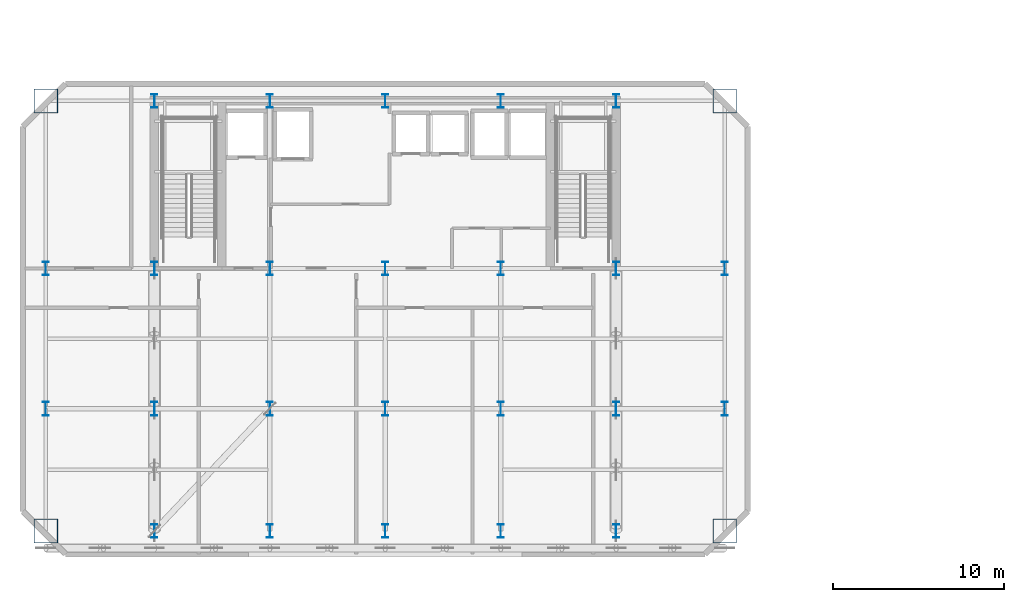
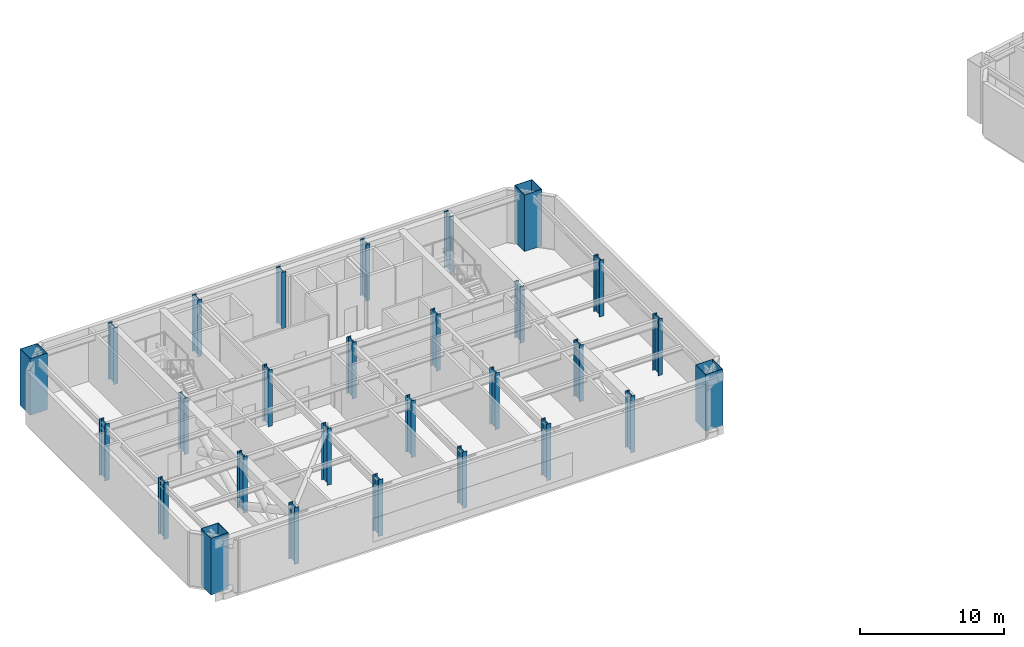
# One storey, part 1 of 15: 28 columns.
"""IFC4 building model written with IfcOpenShell, lengths in metres."""

from ifc_helpers import new_model, si_unit, direction, frame, origin, origin_2d, place, context, subcontext, project, spatial, hollow_rectangle, i_section, extrude, material, material_profile, profile_set, type_object, element, save


model = new_model("IFC4")

# Units and contexts
model_context = context("Model", 3, precision=1e-05, world=origin(), true_north=direction((0.0, 1.0)))
body_context = subcontext(model_context, "Body", "Model", "MODEL_VIEW")
ifc_project = project(units=[si_unit("LENGTHUNIT", "METRE"), si_unit("AREAUNIT", "SQUARE_METRE"), si_unit("VOLUMEUNIT", "CUBIC_METRE"), si_unit("PLANEANGLEUNIT", "RADIAN"), si_unit("MASSUNIT", "GRAM", prefix="KILO")], contexts=[model_context])

# Site, building, storey
site_placement = place(None, origin())
site = spatial("IfcSite", under=ifc_project, at=site_placement, CompositionType="ELEMENT")
building_placement = place(site_placement, origin())
building = spatial("IfcBuilding", under=site, at=building_placement, Name="Haevon Station Towers", CompositionType="ELEMENT")
storey_placement = place(building_placement, frame((0.0, 0.0, 138.0)))
storey = spatial("IfcBuildingStorey", under=building, at=storey_placement, Name="L37", CompositionType="ELEMENT", Elevation=138.0)

# Columns
ifc_material = material(Name="Steel S460", Category="steel")
ifc_material_profile_1 = material_profile(ifc_material, hollow_rectangle(XDim=1.39990234375, YDim=1.39990234375, WallThickness=0.035888671875, at=origin_2d()), Name="BOX-1400x1400x36")
ifc_profile_set_1 = profile_set([ifc_material_profile_1], Name="Steel S460")
column_type_1 = type_object("IfcColumnType", Name="COL-MC3", PredefinedType="COLUMN", material=ifc_profile_set_1)
for number, where, z_axis, x_axis, name in (
    (1, (17.64990234375, 22.85009765625, 0.0), (0.0, 0.0, 1.0), (1.0, 0.0, 0.0), "COL-T1-L37-01-01"),
    (2, (17.64990234375, 48.0, 0.0), (0.0, 0.0, 1.0), (1.0, 0.0, 0.0), "COL-T1-L37-01-04"),
    (3, (57.35009765625, 22.85009765625, 0.0), (0.0, 0.0, 1.0), (1.0, 0.0, 0.0), "COL-T1-L37-07-01"),
    (4, (57.35009765625, 48.0, 0.0), (0.0, 0.0, 1.0), (1.0, 0.0, 0.0), "COL-T1-L37-07-04"),
):
    element("IfcColumn", number, at=place(storey_placement, frame(where, z_axis=z_axis, x_axis=x_axis)), inside=storey, type_object=column_type_1, Name=name, PredefinedType="COLUMN", context=body_context, shape_type="SweptSolid", body=[
        extrude(hollow_rectangle(XDim=1.39990234375, YDim=1.39990234375, WallThickness=0.035888671875, at=origin_2d()), origin(), (0.0, 0.0, 1.0), 4.800048828125),
    ])
ifc_material_profile_2 = material_profile(ifc_material, i_section(OverallWidth=0.35009765625, OverallDepth=0.800048828125, WebThickness=0.01806640625, FlangeThickness=0.031982421875, at=origin_2d()), Name="H-800x350x18x32")
ifc_profile_set_2 = profile_set([ifc_material_profile_2], Name="Steel S460")
column_type_2 = type_object("IfcColumnType", Name="COL-TW2", PredefinedType="COLUMN", material=ifc_profile_set_2)
for number, where, z_axis, x_axis, name in (
    (5, (17.64990234375, 30.0, 0.0), (0.0, 0.0, 1.0), (1.0, 0.0, 0.0), "COL-T1-L37-01-02"),
    (6, (17.64990234375, 38.199951171875, 0.0), (0.0, 0.0, 1.0), (1.0, 0.0, 0.0), "COL-T1-L37-01-03"),
    (7, (24.0, 22.85009765625, 0.0), (0.0, 0.0, 1.0), (1.0, 0.0, 0.0), "COL-T1-L37-02-01"),
    (8, (24.0, 30.0, 0.0), (0.0, 0.0, 1.0), (1.0, 0.0, 0.0), "COL-T1-L37-02-02"),
    (9, (24.0, 38.199951171875, 0.0), (0.0, 0.0, 1.0), (1.0, 0.0, 0.0), "COL-T1-L37-02-03"),
    (10, (24.0, 48.0, 0.0), (0.0, 0.0, 1.0), (1.0, 0.0, 0.0), "COL-T1-L37-02-04"),
    (11, (30.75, 22.85009765625, 0.0), (0.0, 0.0, 1.0), (1.0, 0.0, 0.0), "COL-T1-L37-03-01"),
    (12, (30.75, 30.0, 0.0), (0.0, 0.0, 1.0), (1.0, 0.0, 0.0), "COL-T1-L37-03-02"),
    (13, (30.75, 38.199951171875, 0.0), (0.0, 0.0, 1.0), (1.0, 0.0, 0.0), "COL-T1-L37-03-03"),
    (14, (30.75, 48.0, 0.0), (0.0, 0.0, 1.0), (1.0, 0.0, 0.0), "COL-T1-L37-03-04"),
    (15, (37.5, 22.85009765625, 0.0), (0.0, 0.0, 1.0), (1.0, 0.0, 0.0), "COL-T1-L37-04-01"),
    (16, (37.5, 30.0, 0.0), (0.0, 0.0, 1.0), (1.0, 0.0, 0.0), "COL-T1-L37-04-02"),
    (17, (37.5, 38.199951171875, 0.0), (0.0, 0.0, 1.0), (1.0, 0.0, 0.0), "COL-T1-L37-04-03"),
    (18, (37.5, 48.0, 0.0), (0.0, 0.0, 1.0), (1.0, 0.0, 0.0), "COL-T1-L37-04-04"),
    (19, (44.25, 22.85009765625, 0.0), (0.0, 0.0, 1.0), (1.0, 0.0, 0.0), "COL-T1-L37-05-01"),
    (20, (44.25, 30.0, 0.0), (0.0, 0.0, 1.0), (1.0, 0.0, 0.0), "COL-T1-L37-05-02"),
    (21, (44.25, 38.199951171875, 0.0), (0.0, 0.0, 1.0), (1.0, 0.0, 0.0), "COL-T1-L37-05-03"),
    (22, (44.25, 48.0, 0.0), (0.0, 0.0, 1.0), (1.0, 0.0, 0.0), "COL-T1-L37-05-04"),
    (23, (51.0, 22.85009765625, 0.0), (0.0, 0.0, 1.0), (1.0, 0.0, 0.0), "COL-T1-L37-06-01"),
    (24, (51.0, 30.0, 0.0), (0.0, 0.0, 1.0), (1.0, 0.0, 0.0), "COL-T1-L37-06-02"),
    (25, (51.0, 38.199951171875, 0.0), (0.0, 0.0, 1.0), (1.0, 0.0, 0.0), "COL-T1-L37-06-03"),
    (26, (51.0, 48.0, 0.0), (0.0, 0.0, 1.0), (1.0, 0.0, 0.0), "COL-T1-L37-06-04"),
    (27, (57.35009765625, 30.0, 0.0), (0.0, 0.0, 1.0), (1.0, 0.0, 0.0), "COL-T1-L37-07-02"),
    (28, (57.35009765625, 38.199951171875, 0.0), (0.0, 0.0, 1.0), (1.0, 0.0, 0.0), "COL-T1-L37-07-03"),
):
    element("IfcColumn", number, at=place(storey_placement, frame(where, z_axis=z_axis, x_axis=x_axis)), inside=storey, type_object=column_type_2, Name=name, PredefinedType="COLUMN", context=body_context, shape_type="SweptSolid", body=[
        extrude(i_section(OverallWidth=0.35009765625, OverallDepth=0.800048828125, WebThickness=0.01806640625, FlangeThickness=0.031982421875, at=origin_2d()), origin(), (0.0, 0.0, 1.0), 4.800048828125),
    ])

save(model, "model.ifc")
